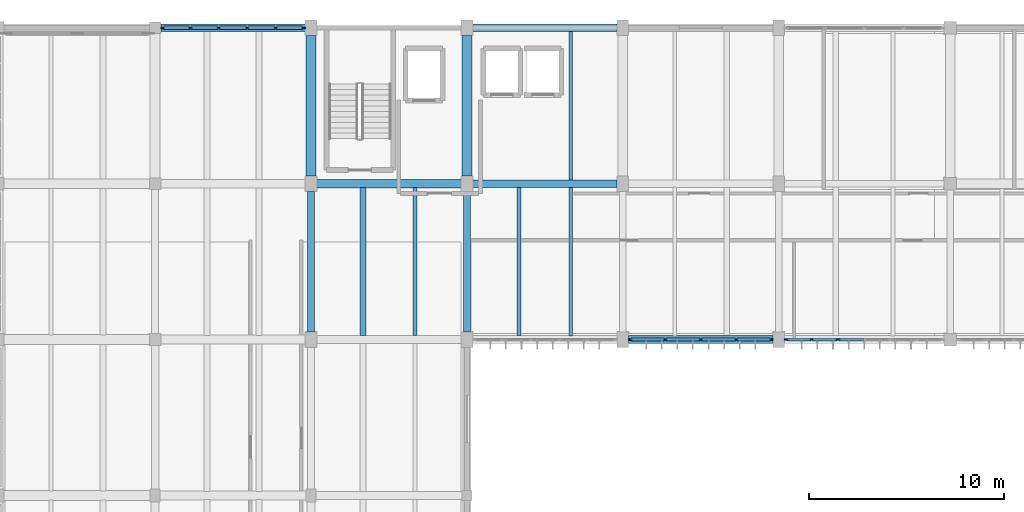
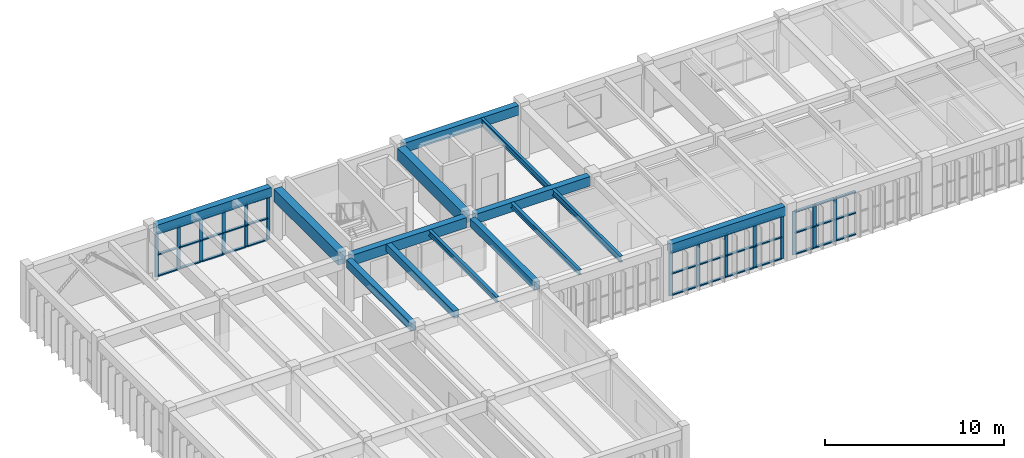
# One storey, part 5 of 31: 50 members, 14 beams, 3 elements without a shape of their own.
"""IFC4 building model written with IfcOpenShell, lengths in metres."""

from ifc_helpers import new_model, si_unit, direction, frame, origin, origin_2d, place, context, subcontext, project, spatial, rectangle, i_section, extrude, material, material_profile, profile_set, type_object, element, aggregate, save


model = new_model("IFC4")

# Units and contexts
model_context = context("Model", 3, precision=1e-05, world=origin(), true_north=direction((0.0, 1.0)))
body_context = subcontext(model_context, "Body", "Model", "MODEL_VIEW")
ifc_project = project(units=[si_unit("LENGTHUNIT", "METRE"), si_unit("AREAUNIT", "SQUARE_METRE"), si_unit("VOLUMEUNIT", "CUBIC_METRE"), si_unit("PLANEANGLEUNIT", "RADIAN"), si_unit("MASSUNIT", "GRAM", prefix="KILO")], contexts=[model_context])

# Site, building, storey
site_placement = place(None, origin())
site = spatial("IfcSite", under=ifc_project, at=site_placement, CompositionType="ELEMENT")
building_placement = place(site_placement, origin())
building = spatial("IfcBuilding", under=site, at=building_placement, Name="Tlaxcora Railside Police Headquarters", CompositionType="ELEMENT")
storey_placement = place(building_placement, frame((0.0, 0.0, 18.0)))
storey = spatial("IfcBuildingStorey", under=building, at=storey_placement, Name="L04", CompositionType="ELEMENT", Elevation=18.0)

# Curtain wall, members
ifc_material_1 = material(Name="Thermally broken low-E insulated glazing", Category="glass")
curtain_wall_type_1 = type_object("IfcCurtainWallType", Name="Unitised Curtain Wall Assembly CW-23", PredefinedType="NOTDEFINED", material=ifc_material_1)
curtain_wall_1_placement = place(storey_placement, origin())
curtain_wall_1 = element("IfcCurtainWall", 1, at=curtain_wall_1_placement, inside=storey, type_object=curtain_wall_type_1, Name="V5 L04 curtain wall 92", PredefinedType="NOTDEFINED")
ifc_material_2 = material(Name="Anodised aluminium framing", Category="aluminium")
ifc_material_profile_1 = material_profile(ifc_material_2, rectangle(XDim=0.080078125, YDim=0.219970703125, at=origin_2d()), Name="AL80X220")
ifc_profile_set_1 = profile_set([ifc_material_profile_1], Name="Anodised aluminium framing")
member_type_1 = type_object("IfcMemberType", Name="Curtain Wall Mullion CW-31", PredefinedType="MULLION", material=ifc_profile_set_1)
member_1_placement = place(storey_placement, frame((45.590087890625, 76.800048828125, 0.0), z_axis=(0.0, 0.0, 1.0), x_axis=(0.0, 1.0, 0.0)))
member_1 = element("IfcMember", 2, at=member_1_placement, type_object=member_type_1, Name="CW mullion 1", PredefinedType="MULLION", context=body_context, shape_type="SweptSolid", body=[
    extrude(rectangle(XDim=0.080078125, YDim=0.219970703125, at=origin_2d()), origin(), (0.0, 0.0, 1.0), 2.969970703125),
])
member_2_placement = place(storey_placement, frame((46.895751953125, 76.800048828125, 0.0), z_axis=(0.0, 0.0, 1.0), x_axis=(0.0, 1.0, 0.0)))
member_2 = element("IfcMember", 3, at=member_2_placement, type_object=member_type_1, Name="CW mullion 2", PredefinedType="MULLION", context=body_context, shape_type="SweptSolid", body=[
    extrude(rectangle(XDim=0.080078125, YDim=0.219970703125, at=origin_2d()), origin(), (0.0, 0.0, 1.0), 2.969970703125),
])
member_3_placement = place(storey_placement, frame((48.24169921875, 76.800048828125, 0.0), z_axis=(0.0, 0.0, 1.0), x_axis=(0.0, 1.0, 0.0)))
member_3 = element("IfcMember", 4, at=member_3_placement, type_object=member_type_1, Name="CW mullion 3", PredefinedType="MULLION", context=body_context, shape_type="SweptSolid", body=[
    extrude(rectangle(XDim=0.080078125, YDim=0.219970703125, at=origin_2d()), origin(), (0.0, 0.0, 1.0), 2.969970703125),
])

curtain_wall_2_placement = place(storey_placement, origin())
curtain_wall_2 = element("IfcCurtainWall", 5, at=curtain_wall_2_placement, inside=storey, type_object=curtain_wall_type_1, Name="V5 L04 curtain wall 100", PredefinedType="NOTDEFINED")
member_4_placement = place(storey_placement, frame((20.81005859375, 92.800048828125, 0.0), z_axis=(0.0, 0.0, 1.0), x_axis=(0.0, -1.0, 0.0)))
member_4 = element("IfcMember", 6, at=member_4_placement, type_object=member_type_1, Name="CW mullion 1", PredefinedType="MULLION", context=body_context, shape_type="SweptSolid", body=[
    extrude(rectangle(XDim=0.080078125, YDim=0.219970703125, at=origin_2d()), origin(), (0.0, 0.0, 1.0), 2.969970703125),
])
member_5_placement = place(storey_placement, frame((19.389892578125, 92.800048828125, 0.0), z_axis=(0.0, 0.0, 1.0), x_axis=(0.0, -1.0, 0.0)))
member_5 = element("IfcMember", 7, at=member_5_placement, type_object=member_type_1, Name="CW mullion 2", PredefinedType="MULLION", context=body_context, shape_type="SweptSolid", body=[
    extrude(rectangle(XDim=0.080078125, YDim=0.219970703125, at=origin_2d()), origin(), (0.0, 0.0, 1.0), 2.969970703125),
])
member_6_placement = place(storey_placement, frame((17.929931640625, 92.800048828125, 0.0), z_axis=(0.0, 0.0, 1.0), x_axis=(0.0, -1.0, 0.0)))
member_6 = element("IfcMember", 8, at=member_6_placement, type_object=member_type_1, Name="CW mullion 3", PredefinedType="MULLION", context=body_context, shape_type="SweptSolid", body=[
    extrude(rectangle(XDim=0.080078125, YDim=0.219970703125, at=origin_2d()), origin(), (0.0, 0.0, 1.0), 2.969970703125),
])
member_7_placement = place(storey_placement, frame((16.469970703125, 92.800048828125, 0.0), z_axis=(0.0, 0.0, 1.0), x_axis=(0.0, -1.0, 0.0)))
member_7 = element("IfcMember", 9, at=member_7_placement, type_object=member_type_1, Name="CW mullion 4", PredefinedType="MULLION", context=body_context, shape_type="SweptSolid", body=[
    extrude(rectangle(XDim=0.080078125, YDim=0.219970703125, at=origin_2d()), origin(), (0.0, 0.0, 1.0), 2.969970703125),
])
member_8_placement = place(storey_placement, frame((15.010009765625, 92.800048828125, 0.0), z_axis=(0.0, 0.0, 1.0), x_axis=(0.0, -1.0, 0.0)))
member_8 = element("IfcMember", 10, at=member_8_placement, type_object=member_type_1, Name="CW mullion 5", PredefinedType="MULLION", context=body_context, shape_type="SweptSolid", body=[
    extrude(rectangle(XDim=0.080078125, YDim=0.219970703125, at=origin_2d()), origin(), (0.0, 0.0, 1.0), 2.969970703125),
])
member_9_placement = place(storey_placement, frame((13.590087890625, 92.800048828125, 0.0), z_axis=(0.0, 0.0, 1.0), x_axis=(0.0, -1.0, 0.0)))
member_9 = element("IfcMember", 11, at=member_9_placement, type_object=member_type_1, Name="CW mullion 6", PredefinedType="MULLION", context=body_context, shape_type="SweptSolid", body=[
    extrude(rectangle(XDim=0.080078125, YDim=0.219970703125, at=origin_2d()), origin(), (0.0, 0.0, 1.0), 2.969970703125),
])

curtain_wall_type_2 = type_object("IfcCurtainWallType", Name="Unitised Curtain Wall Assembly CW-83", PredefinedType="NOTDEFINED", material=ifc_material_1)
curtain_wall_3_placement = place(storey_placement, origin())
curtain_wall_3 = element("IfcCurtainWall", 12, at=curtain_wall_3_placement, inside=storey, type_object=curtain_wall_type_2, Name="V5 L04 curtain wall 91", PredefinedType="NOTDEFINED")
ifc_material_profile_2 = material_profile(ifc_material_2, rectangle(XDim=0.080078125, YDim=0.2099609375, at=origin_2d()), Name="AL80X210")
ifc_profile_set_2 = profile_set([ifc_material_profile_2], Name="Anodised aluminium framing")
member_type_2 = type_object("IfcMemberType", Name="Curtain Wall Mullion CW-76", PredefinedType="MULLION", material=ifc_profile_set_2)
member_10_placement = place(storey_placement, frame((37.590087890625, 76.800048828125, 0.0), z_axis=(0.0, 0.0, 1.0), x_axis=(0.0, 1.0, 0.0)))
member_10 = element("IfcMember", 13, at=member_10_placement, type_object=member_type_2, Name="CW mullion 1", PredefinedType="MULLION", context=body_context, shape_type="SweptSolid", body=[
    extrude(rectangle(XDim=0.080078125, YDim=0.2099609375, at=origin_2d()), origin(), (0.0, 0.0, 1.0), 2.969970703125),
])
member_11_placement = place(storey_placement, frame((39.375, 76.800048828125, 0.0), z_axis=(0.0, 0.0, 1.0), x_axis=(0.0, 1.0, 0.0)))
member_11 = element("IfcMember", 14, at=member_11_placement, type_object=member_type_2, Name="CW mullion 2", PredefinedType="MULLION", context=body_context, shape_type="SweptSolid", body=[
    extrude(rectangle(XDim=0.080078125, YDim=0.2099609375, at=origin_2d()), origin(), (0.0, 0.0, 1.0), 2.969970703125),
])
member_12_placement = place(storey_placement, frame((41.199951171875, 76.800048828125, 0.0), z_axis=(0.0, 0.0, 1.0), x_axis=(0.0, 1.0, 0.0)))
member_12 = element("IfcMember", 15, at=member_12_placement, type_object=member_type_2, Name="CW mullion 3", PredefinedType="MULLION", context=body_context, shape_type="SweptSolid", body=[
    extrude(rectangle(XDim=0.080078125, YDim=0.2099609375, at=origin_2d()), origin(), (0.0, 0.0, 1.0), 2.969970703125),
])
member_13_placement = place(storey_placement, frame((43.02490234375, 76.800048828125, 0.0), z_axis=(0.0, 0.0, 1.0), x_axis=(0.0, 1.0, 0.0)))
member_13 = element("IfcMember", 16, at=member_13_placement, type_object=member_type_2, Name="CW mullion 4", PredefinedType="MULLION", context=body_context, shape_type="SweptSolid", body=[
    extrude(rectangle(XDim=0.080078125, YDim=0.2099609375, at=origin_2d()), origin(), (0.0, 0.0, 1.0), 2.969970703125),
])
member_14_placement = place(storey_placement, frame((44.81005859375, 76.800048828125, 0.0), z_axis=(0.0, 0.0, 1.0), x_axis=(0.0, 1.0, 0.0)))
member_14 = element("IfcMember", 17, at=member_14_placement, type_object=member_type_2, Name="CW mullion 5", PredefinedType="MULLION", context=body_context, shape_type="SweptSolid", body=[
    extrude(rectangle(XDim=0.080078125, YDim=0.2099609375, at=origin_2d()), origin(), (0.0, 0.0, 1.0), 2.969970703125),
])

# Member
ifc_material_profile_3 = material_profile(ifc_material_2, rectangle(XDim=0.1650390625, YDim=0.080078125, at=origin_2d()), Name="AL80X165")
ifc_profile_set_3 = profile_set([ifc_material_profile_3], Name="Anodised aluminium framing")
member_type_3 = type_object("IfcMemberType", Name="Curtain Wall Transom CW-62", PredefinedType="USERDEFINED", material=ifc_profile_set_3)
member_15_placement = place(storey_placement, frame((45.6298828125, 76.800048828125, 0.0400390625), z_axis=(1.0, 0.0, 0.0), x_axis=(0.0, 1.0, 0.0)))
member_15 = element("IfcMember", 18, at=member_15_placement, type_object=member_type_3, Name="CW transom 1.1", ObjectType="TRANSOM", PredefinedType="USERDEFINED", context=body_context, shape_type="SweptSolid", body=[
    extrude(rectangle(XDim=0.1650390625, YDim=0.080078125, at=origin_2d()), origin(), (0.0, 0.0, 1.0), 1.225830078125),
])

member_16_placement = place(storey_placement, frame((45.6298828125, 76.800048828125, 1.4951171875), z_axis=(1.0, 0.0, 0.0), x_axis=(0.0, 1.0, 0.0)))
member_16 = element("IfcMember", 19, at=member_16_placement, type_object=member_type_3, Name="CW transom 1.2", ObjectType="TRANSOM", PredefinedType="USERDEFINED", context=body_context, shape_type="SweptSolid", body=[
    extrude(rectangle(XDim=0.1650390625, YDim=0.080078125, at=origin_2d()), origin(), (0.0, 0.0, 1.0), 1.225830078125),
])

member_17_placement = place(storey_placement, frame((45.6298828125, 76.800048828125, 2.929931640625), z_axis=(1.0, 0.0, 0.0), x_axis=(0.0, 1.0, 0.0)))
member_17 = element("IfcMember", 20, at=member_17_placement, type_object=member_type_3, Name="CW transom 1.3", ObjectType="TRANSOM", PredefinedType="USERDEFINED", context=body_context, shape_type="SweptSolid", body=[
    extrude(rectangle(XDim=0.1650390625, YDim=0.080078125, at=origin_2d()), origin(), (0.0, 0.0, 1.0), 1.225830078125),
])

member_18_placement = place(storey_placement, frame((46.935791015625, 76.800048828125, 0.0400390625), z_axis=(1.0, 0.0, 0.0), x_axis=(0.0, 1.0, 0.0)))
member_18 = element("IfcMember", 21, at=member_18_placement, type_object=member_type_3, Name="CW transom 2.1", ObjectType="TRANSOM", PredefinedType="USERDEFINED", context=body_context, shape_type="SweptSolid", body=[
    extrude(rectangle(XDim=0.1650390625, YDim=0.080078125, at=origin_2d()), origin(), (0.0, 0.0, 1.0), 1.265869140625),
])

member_19_placement = place(storey_placement, frame((46.935791015625, 76.800048828125, 1.4951171875), z_axis=(1.0, 0.0, 0.0), x_axis=(0.0, 1.0, 0.0)))
member_19 = element("IfcMember", 22, at=member_19_placement, type_object=member_type_3, Name="CW transom 2.2", ObjectType="TRANSOM", PredefinedType="USERDEFINED", context=body_context, shape_type="SweptSolid", body=[
    extrude(rectangle(XDim=0.1650390625, YDim=0.080078125, at=origin_2d()), origin(), (0.0, 0.0, 1.0), 1.265869140625),
])

member_20_placement = place(storey_placement, frame((46.935791015625, 76.800048828125, 2.929931640625), z_axis=(1.0, 0.0, 0.0), x_axis=(0.0, 1.0, 0.0)))
member_20 = element("IfcMember", 23, at=member_20_placement, type_object=member_type_3, Name="CW transom 2.3", ObjectType="TRANSOM", PredefinedType="USERDEFINED", context=body_context, shape_type="SweptSolid", body=[
    extrude(rectangle(XDim=0.1650390625, YDim=0.080078125, at=origin_2d()), origin(), (0.0, 0.0, 1.0), 1.265869140625),
])

member_21_placement = place(storey_placement, frame((48.28173828125, 76.800048828125, 0.0400390625), z_axis=(1.0, 0.0, 0.0), x_axis=(0.0, 1.0, 0.0)))
member_21 = element("IfcMember", 24, at=member_21_placement, type_object=member_type_3, Name="CW transom 3.1", ObjectType="TRANSOM", PredefinedType="USERDEFINED", context=body_context, shape_type="SweptSolid", body=[
    extrude(rectangle(XDim=0.1650390625, YDim=0.080078125, at=origin_2d()), origin(), (0.0, 0.0, 1.0), 1.265869140625),
])

member_22_placement = place(storey_placement, frame((48.28173828125, 76.800048828125, 1.4951171875), z_axis=(1.0, 0.0, 0.0), x_axis=(0.0, 1.0, 0.0)))
member_22 = element("IfcMember", 25, at=member_22_placement, type_object=member_type_3, Name="CW transom 3.2", ObjectType="TRANSOM", PredefinedType="USERDEFINED", context=body_context, shape_type="SweptSolid", body=[
    extrude(rectangle(XDim=0.1650390625, YDim=0.080078125, at=origin_2d()), origin(), (0.0, 0.0, 1.0), 1.265869140625),
])

member_23_placement = place(storey_placement, frame((48.28173828125, 76.800048828125, 2.929931640625), z_axis=(1.0, 0.0, 0.0), x_axis=(0.0, 1.0, 0.0)))
member_23 = element("IfcMember", 26, at=member_23_placement, type_object=member_type_3, Name="CW transom 3.3", ObjectType="TRANSOM", PredefinedType="USERDEFINED", context=body_context, shape_type="SweptSolid", body=[
    extrude(rectangle(XDim=0.1650390625, YDim=0.080078125, at=origin_2d()), origin(), (0.0, 0.0, 1.0), 1.265869140625),
])

aggregate(curtain_wall_1, [member_1, member_2, member_3, member_15, member_16, member_17, member_18, member_19, member_20, member_21, member_22, member_23])

member_24_placement = place(storey_placement, frame((20.77001953125, 92.800048828125, 0.0400390625), z_axis=(-1.0, 0.0, 0.0), x_axis=(0.0, -1.0, 0.0)))
member_24 = element("IfcMember", 27, at=member_24_placement, type_object=member_type_3, Name="CW transom 1.1", ObjectType="TRANSOM", PredefinedType="USERDEFINED", context=body_context, shape_type="SweptSolid", body=[
    extrude(rectangle(XDim=0.1650390625, YDim=0.080078125, at=origin_2d()), origin(), (0.0, 0.0, 1.0), 1.340087890625),
])

member_25_placement = place(storey_placement, frame((20.77001953125, 92.800048828125, 1.4951171875), z_axis=(-1.0, 0.0, 0.0), x_axis=(0.0, -1.0, 0.0)))
member_25 = element("IfcMember", 28, at=member_25_placement, type_object=member_type_3, Name="CW transom 1.2", ObjectType="TRANSOM", PredefinedType="USERDEFINED", context=body_context, shape_type="SweptSolid", body=[
    extrude(rectangle(XDim=0.1650390625, YDim=0.080078125, at=origin_2d()), origin(), (0.0, 0.0, 1.0), 1.340087890625),
])

member_26_placement = place(storey_placement, frame((20.77001953125, 92.800048828125, 2.929931640625), z_axis=(-1.0, 0.0, 0.0), x_axis=(0.0, -1.0, 0.0)))
member_26 = element("IfcMember", 29, at=member_26_placement, type_object=member_type_3, Name="CW transom 1.3", ObjectType="TRANSOM", PredefinedType="USERDEFINED", context=body_context, shape_type="SweptSolid", body=[
    extrude(rectangle(XDim=0.1650390625, YDim=0.080078125, at=origin_2d()), origin(), (0.0, 0.0, 1.0), 1.340087890625),
])

member_27_placement = place(storey_placement, frame((19.35009765625, 92.800048828125, 0.0400390625), z_axis=(-1.0, 0.0, 0.0), x_axis=(0.0, -1.0, 0.0)))
member_27 = element("IfcMember", 30, at=member_27_placement, type_object=member_type_3, Name="CW transom 2.1", ObjectType="TRANSOM", PredefinedType="USERDEFINED", context=body_context, shape_type="SweptSolid", body=[
    extrude(rectangle(XDim=0.1650390625, YDim=0.080078125, at=origin_2d()), origin(), (0.0, 0.0, 1.0), 1.380126953125),
])

member_28_placement = place(storey_placement, frame((19.35009765625, 92.800048828125, 1.4951171875), z_axis=(-1.0, 0.0, 0.0), x_axis=(0.0, -1.0, 0.0)))
member_28 = element("IfcMember", 31, at=member_28_placement, type_object=member_type_3, Name="CW transom 2.2", ObjectType="TRANSOM", PredefinedType="USERDEFINED", context=body_context, shape_type="SweptSolid", body=[
    extrude(rectangle(XDim=0.1650390625, YDim=0.080078125, at=origin_2d()), origin(), (0.0, 0.0, 1.0), 1.380126953125),
])

member_29_placement = place(storey_placement, frame((19.35009765625, 92.800048828125, 2.929931640625), z_axis=(-1.0, 0.0, 0.0), x_axis=(0.0, -1.0, 0.0)))
member_29 = element("IfcMember", 32, at=member_29_placement, type_object=member_type_3, Name="CW transom 2.3", ObjectType="TRANSOM", PredefinedType="USERDEFINED", context=body_context, shape_type="SweptSolid", body=[
    extrude(rectangle(XDim=0.1650390625, YDim=0.080078125, at=origin_2d()), origin(), (0.0, 0.0, 1.0), 1.380126953125),
])

member_30_placement = place(storey_placement, frame((17.889892578125, 92.800048828125, 0.0400390625), z_axis=(-1.0, 0.0, 0.0), x_axis=(0.0, -1.0, 0.0)))
member_30 = element("IfcMember", 33, at=member_30_placement, type_object=member_type_3, Name="CW transom 3.1", ObjectType="TRANSOM", PredefinedType="USERDEFINED", context=body_context, shape_type="SweptSolid", body=[
    extrude(rectangle(XDim=0.1650390625, YDim=0.080078125, at=origin_2d()), origin(), (0.0, 0.0, 1.0), 1.3798828125),
])

member_31_placement = place(storey_placement, frame((17.889892578125, 92.800048828125, 1.4951171875), z_axis=(-1.0, 0.0, 0.0), x_axis=(0.0, -1.0, 0.0)))
member_31 = element("IfcMember", 34, at=member_31_placement, type_object=member_type_3, Name="CW transom 3.2", ObjectType="TRANSOM", PredefinedType="USERDEFINED", context=body_context, shape_type="SweptSolid", body=[
    extrude(rectangle(XDim=0.1650390625, YDim=0.080078125, at=origin_2d()), origin(), (0.0, 0.0, 1.0), 1.3798828125),
])

member_32_placement = place(storey_placement, frame((17.889892578125, 92.800048828125, 2.929931640625), z_axis=(-1.0, 0.0, 0.0), x_axis=(0.0, -1.0, 0.0)))
member_32 = element("IfcMember", 35, at=member_32_placement, type_object=member_type_3, Name="CW transom 3.3", ObjectType="TRANSOM", PredefinedType="USERDEFINED", context=body_context, shape_type="SweptSolid", body=[
    extrude(rectangle(XDim=0.1650390625, YDim=0.080078125, at=origin_2d()), origin(), (0.0, 0.0, 1.0), 1.3798828125),
])

member_33_placement = place(storey_placement, frame((16.429931640625, 92.800048828125, 0.0400390625), z_axis=(-1.0, 0.0, 0.0), x_axis=(0.0, -1.0, 0.0)))
member_33 = element("IfcMember", 36, at=member_33_placement, type_object=member_type_3, Name="CW transom 4.1", ObjectType="TRANSOM", PredefinedType="USERDEFINED", context=body_context, shape_type="SweptSolid", body=[
    extrude(rectangle(XDim=0.1650390625, YDim=0.080078125, at=origin_2d()), origin(), (0.0, 0.0, 1.0), 1.3798828125),
])

member_34_placement = place(storey_placement, frame((16.429931640625, 92.800048828125, 1.4951171875), z_axis=(-1.0, 0.0, 0.0), x_axis=(0.0, -1.0, 0.0)))
member_34 = element("IfcMember", 37, at=member_34_placement, type_object=member_type_3, Name="CW transom 4.2", ObjectType="TRANSOM", PredefinedType="USERDEFINED", context=body_context, shape_type="SweptSolid", body=[
    extrude(rectangle(XDim=0.1650390625, YDim=0.080078125, at=origin_2d()), origin(), (0.0, 0.0, 1.0), 1.3798828125),
])

member_35_placement = place(storey_placement, frame((16.429931640625, 92.800048828125, 2.929931640625), z_axis=(-1.0, 0.0, 0.0), x_axis=(0.0, -1.0, 0.0)))
member_35 = element("IfcMember", 38, at=member_35_placement, type_object=member_type_3, Name="CW transom 4.3", ObjectType="TRANSOM", PredefinedType="USERDEFINED", context=body_context, shape_type="SweptSolid", body=[
    extrude(rectangle(XDim=0.1650390625, YDim=0.080078125, at=origin_2d()), origin(), (0.0, 0.0, 1.0), 1.3798828125),
])

member_36_placement = place(storey_placement, frame((14.969970703125, 92.800048828125, 0.0400390625), z_axis=(-1.0, 0.0, 0.0), x_axis=(0.0, -1.0, 0.0)))
member_36 = element("IfcMember", 39, at=member_36_placement, type_object=member_type_3, Name="CW transom 5.1", ObjectType="TRANSOM", PredefinedType="USERDEFINED", context=body_context, shape_type="SweptSolid", body=[
    extrude(rectangle(XDim=0.1650390625, YDim=0.080078125, at=origin_2d()), origin(), (0.0, 0.0, 1.0), 1.340087890625),
])

member_37_placement = place(storey_placement, frame((14.969970703125, 92.800048828125, 1.4951171875), z_axis=(-1.0, 0.0, 0.0), x_axis=(0.0, -1.0, 0.0)))
member_37 = element("IfcMember", 40, at=member_37_placement, type_object=member_type_3, Name="CW transom 5.2", ObjectType="TRANSOM", PredefinedType="USERDEFINED", context=body_context, shape_type="SweptSolid", body=[
    extrude(rectangle(XDim=0.1650390625, YDim=0.080078125, at=origin_2d()), origin(), (0.0, 0.0, 1.0), 1.340087890625),
])

member_38_placement = place(storey_placement, frame((14.969970703125, 92.800048828125, 2.929931640625), z_axis=(-1.0, 0.0, 0.0), x_axis=(0.0, -1.0, 0.0)))
member_38 = element("IfcMember", 41, at=member_38_placement, type_object=member_type_3, Name="CW transom 5.3", ObjectType="TRANSOM", PredefinedType="USERDEFINED", context=body_context, shape_type="SweptSolid", body=[
    extrude(rectangle(XDim=0.1650390625, YDim=0.080078125, at=origin_2d()), origin(), (0.0, 0.0, 1.0), 1.340087890625),
])

aggregate(curtain_wall_2, [member_4, member_5, member_6, member_7, member_8, member_9, member_24, member_25, member_26, member_27, member_28, member_29, member_30, member_31, member_32, member_33, member_34, member_35, member_36, member_37, member_38])

ifc_material_profile_4 = material_profile(ifc_material_2, rectangle(XDim=0.159912109375, YDim=0.080078125, at=origin_2d()), Name="AL80X160")
ifc_profile_set_4 = profile_set([ifc_material_profile_4], Name="Anodised aluminium framing")
member_type_4 = type_object("IfcMemberType", Name="Curtain Wall Transom CW-82", PredefinedType="USERDEFINED", material=ifc_profile_set_4)
member_39_placement = place(storey_placement, frame((37.6298828125, 76.800048828125, 0.0400390625), z_axis=(1.0, 0.0, 0.0), x_axis=(0.0, 1.0, 0.0)))
member_39 = element("IfcMember", 42, at=member_39_placement, type_object=member_type_4, Name="CW transom 1.1", ObjectType="TRANSOM", PredefinedType="USERDEFINED", context=body_context, shape_type="SweptSolid", body=[
    extrude(rectangle(XDim=0.159912109375, YDim=0.080078125, at=origin_2d()), origin(), (0.0, 0.0, 1.0), 1.705078125),
])

member_40_placement = place(storey_placement, frame((37.6298828125, 76.800048828125, 1.4951171875), z_axis=(1.0, 0.0, 0.0), x_axis=(0.0, 1.0, 0.0)))
member_40 = element("IfcMember", 43, at=member_40_placement, type_object=member_type_4, Name="CW transom 1.2", ObjectType="TRANSOM", PredefinedType="USERDEFINED", context=body_context, shape_type="SweptSolid", body=[
    extrude(rectangle(XDim=0.159912109375, YDim=0.080078125, at=origin_2d()), origin(), (0.0, 0.0, 1.0), 1.705078125),
])

member_41_placement = place(storey_placement, frame((37.6298828125, 76.800048828125, 2.929931640625), z_axis=(1.0, 0.0, 0.0), x_axis=(0.0, 1.0, 0.0)))
member_41 = element("IfcMember", 44, at=member_41_placement, type_object=member_type_4, Name="CW transom 1.3", ObjectType="TRANSOM", PredefinedType="USERDEFINED", context=body_context, shape_type="SweptSolid", body=[
    extrude(rectangle(XDim=0.159912109375, YDim=0.080078125, at=origin_2d()), origin(), (0.0, 0.0, 1.0), 1.705078125),
])

member_42_placement = place(storey_placement, frame((39.4150390625, 76.800048828125, 0.0400390625), z_axis=(1.0, 0.0, 0.0), x_axis=(0.0, 1.0, 0.0)))
member_42 = element("IfcMember", 45, at=member_42_placement, type_object=member_type_4, Name="CW transom 2.1", ObjectType="TRANSOM", PredefinedType="USERDEFINED", context=body_context, shape_type="SweptSolid", body=[
    extrude(rectangle(XDim=0.159912109375, YDim=0.080078125, at=origin_2d()), origin(), (0.0, 0.0, 1.0), 1.744873046875),
])

member_43_placement = place(storey_placement, frame((39.4150390625, 76.800048828125, 1.4951171875), z_axis=(1.0, 0.0, 0.0), x_axis=(0.0, 1.0, 0.0)))
member_43 = element("IfcMember", 46, at=member_43_placement, type_object=member_type_4, Name="CW transom 2.2", ObjectType="TRANSOM", PredefinedType="USERDEFINED", context=body_context, shape_type="SweptSolid", body=[
    extrude(rectangle(XDim=0.159912109375, YDim=0.080078125, at=origin_2d()), origin(), (0.0, 0.0, 1.0), 1.744873046875),
])

member_44_placement = place(storey_placement, frame((39.4150390625, 76.800048828125, 2.929931640625), z_axis=(1.0, 0.0, 0.0), x_axis=(0.0, 1.0, 0.0)))
member_44 = element("IfcMember", 47, at=member_44_placement, type_object=member_type_4, Name="CW transom 2.3", ObjectType="TRANSOM", PredefinedType="USERDEFINED", context=body_context, shape_type="SweptSolid", body=[
    extrude(rectangle(XDim=0.159912109375, YDim=0.080078125, at=origin_2d()), origin(), (0.0, 0.0, 1.0), 1.744873046875),
])

member_45_placement = place(storey_placement, frame((41.239990234375, 76.800048828125, 0.0400390625), z_axis=(1.0, 0.0, 0.0), x_axis=(0.0, 1.0, 0.0)))
member_45 = element("IfcMember", 48, at=member_45_placement, type_object=member_type_4, Name="CW transom 3.1", ObjectType="TRANSOM", PredefinedType="USERDEFINED", context=body_context, shape_type="SweptSolid", body=[
    extrude(rectangle(XDim=0.159912109375, YDim=0.080078125, at=origin_2d()), origin(), (0.0, 0.0, 1.0), 1.7451171875),
])

member_46_placement = place(storey_placement, frame((41.239990234375, 76.800048828125, 1.4951171875), z_axis=(1.0, 0.0, 0.0), x_axis=(0.0, 1.0, 0.0)))
member_46 = element("IfcMember", 49, at=member_46_placement, type_object=member_type_4, Name="CW transom 3.2", ObjectType="TRANSOM", PredefinedType="USERDEFINED", context=body_context, shape_type="SweptSolid", body=[
    extrude(rectangle(XDim=0.159912109375, YDim=0.080078125, at=origin_2d()), origin(), (0.0, 0.0, 1.0), 1.7451171875),
])

member_47_placement = place(storey_placement, frame((41.239990234375, 76.800048828125, 2.929931640625), z_axis=(1.0, 0.0, 0.0), x_axis=(0.0, 1.0, 0.0)))
member_47 = element("IfcMember", 50, at=member_47_placement, type_object=member_type_4, Name="CW transom 3.3", ObjectType="TRANSOM", PredefinedType="USERDEFINED", context=body_context, shape_type="SweptSolid", body=[
    extrude(rectangle(XDim=0.159912109375, YDim=0.080078125, at=origin_2d()), origin(), (0.0, 0.0, 1.0), 1.7451171875),
])

member_48_placement = place(storey_placement, frame((43.06494140625, 76.800048828125, 0.0400390625), z_axis=(1.0, 0.0, 0.0), x_axis=(0.0, 1.0, 0.0)))
member_48 = element("IfcMember", 51, at=member_48_placement, type_object=member_type_4, Name="CW transom 4.1", ObjectType="TRANSOM", PredefinedType="USERDEFINED", context=body_context, shape_type="SweptSolid", body=[
    extrude(rectangle(XDim=0.159912109375, YDim=0.080078125, at=origin_2d()), origin(), (0.0, 0.0, 1.0), 1.705078125),
])

member_49_placement = place(storey_placement, frame((43.06494140625, 76.800048828125, 1.4951171875), z_axis=(1.0, 0.0, 0.0), x_axis=(0.0, 1.0, 0.0)))
member_49 = element("IfcMember", 52, at=member_49_placement, type_object=member_type_4, Name="CW transom 4.2", ObjectType="TRANSOM", PredefinedType="USERDEFINED", context=body_context, shape_type="SweptSolid", body=[
    extrude(rectangle(XDim=0.159912109375, YDim=0.080078125, at=origin_2d()), origin(), (0.0, 0.0, 1.0), 1.705078125),
])

member_50_placement = place(storey_placement, frame((43.06494140625, 76.800048828125, 2.929931640625), z_axis=(1.0, 0.0, 0.0), x_axis=(0.0, 1.0, 0.0)))
member_50 = element("IfcMember", 53, at=member_50_placement, type_object=member_type_4, Name="CW transom 4.3", ObjectType="TRANSOM", PredefinedType="USERDEFINED", context=body_context, shape_type="SweptSolid", body=[
    extrude(rectangle(XDim=0.159912109375, YDim=0.080078125, at=origin_2d()), origin(), (0.0, 0.0, 1.0), 1.705078125),
])

aggregate(curtain_wall_3, [member_10, member_11, member_12, member_13, member_14, member_39, member_40, member_41, member_42, member_43, member_44, member_45, member_46, member_47, member_48, member_49, member_50])

# Beams
ifc_material_3 = material(Name="Concrete C40/50", Category="concrete")
ifc_material_profile_5 = material_profile(ifc_material_3, rectangle(XDim=0.39990234375, YDim=0.64990234375, at=origin_2d()), Name="RC400X650")
ifc_profile_set_5 = profile_set([ifc_material_profile_5], Name="Concrete C40/50")
beam_type_1 = type_object("IfcBeamType", Name="Perimeter Spandrel Beam BM-46", PredefinedType="SPANDREL", material=ifc_profile_set_5)
for number, where, z_axis, x_axis, name in (
    (54, (37.489990234375, 76.800048828125, 3.31494140625), (1.0, 0.0, 0.0), (0.0, 1.0, 0.0), "V5 L04 X-girder Y=76.8"),
    (55, (13.489990234375, 92.800048828125, 3.31494140625), (1.0, 0.0, 0.0), (0.0, 1.0, 0.0), "V5 L04 X-girder Y=92.8"),
    (56, (29.489990234375, 92.800048828125, 3.31494140625), (1.0, 0.0, 0.0), (0.0, 1.0, 0.0), "V5 L04 X-girder Y=92.8"),
):
    element("IfcBeam", number, at=place(storey_placement, frame(where, z_axis=z_axis, x_axis=x_axis)), inside=storey, type_object=beam_type_1, Name=name, PredefinedType="SPANDREL", context=body_context, shape_type="SweptSolid", body=[
        extrude(rectangle(XDim=0.39990234375, YDim=0.64990234375, at=origin_2d()), origin(), (0.0, 0.0, 1.0), 7.419921875),
    ])
ifc_material_profile_6 = material_profile(ifc_material_3, rectangle(XDim=0.419921875, YDim=0.699951171875, at=origin_2d()), Name="RC420X700")
ifc_profile_set_6 = profile_set([ifc_material_profile_6], Name="Concrete C40/50")
beam_type_2 = type_object("IfcBeamType", Name="Primary Frame Girder BM-35", PredefinedType="BEAM", material=ifc_profile_set_6)
beam_1_placement = place(storey_placement, frame((21.489990234375, 84.800048828125, 3.2900390625), z_axis=(1.0, 0.0, 0.0), x_axis=(0.0, 1.0, 0.0)))
element("IfcBeam", 57, at=beam_1_placement, inside=storey, type_object=beam_type_2, Name="V5 L04 X-girder Y=84.8", PredefinedType="BEAM", context=body_context, shape_type="SweptSolid", body=[
    extrude(rectangle(XDim=0.419921875, YDim=0.699951171875, at=origin_2d()), origin(), (0.0, 0.0, 1.0), 7.419921875),
])
ifc_material_profile_7 = material_profile(ifc_material_3, rectangle(XDim=0.35009765625, YDim=0.550048828125, at=origin_2d()), Name="RC350X550")
ifc_profile_set_7 = profile_set([ifc_material_profile_7], Name="Concrete C40/50")
beam_type_3 = type_object("IfcBeamType", Name="Primary Frame Girder BM-39", PredefinedType="BEAM", material=ifc_profile_set_7)
for number, where, z_axis, x_axis, name in (
    (58, (21.199951171875, 77.18994140625, 3.364990234375), (0.0, 1.0, 0.0), (-1.0, 0.0, 0.0), "V5 L04 Y-girder X=21.2"),
    (59, (29.199951171875, 77.18994140625, 3.364990234375), (0.0, 1.0, 0.0), (-1.0, 0.0, 0.0), "V5 L04 Y-girder X=29.2"),
):
    element("IfcBeam", number, at=place(storey_placement, frame(where, z_axis=z_axis, x_axis=x_axis)), inside=storey, type_object=beam_type_3, Name=name, PredefinedType="BEAM", context=body_context, shape_type="SweptSolid", body=[
        extrude(rectangle(XDim=0.35009765625, YDim=0.550048828125, at=origin_2d()), origin(), (0.0, 0.0, 1.0), 7.219970703125),
    ])
ifc_material_profile_8 = material_profile(ifc_material_3, rectangle(XDim=0.39990234375, YDim=0.64990234375, at=origin_2d()), Name="RC400X650")
ifc_profile_set_8 = profile_set([ifc_material_profile_8], Name="Concrete C40/50")
beam_type_4 = type_object("IfcBeamType", Name="Primary Frame Girder BM-41", PredefinedType="BEAM", material=ifc_profile_set_8)
beam_2_placement = place(storey_placement, frame((29.489990234375, 84.800048828125, 3.31494140625), z_axis=(1.0, 0.0, 0.0), x_axis=(0.0, 1.0, 0.0)))
element("IfcBeam", 60, at=beam_2_placement, inside=storey, type_object=beam_type_4, Name="V5 L04 X-girder Y=84.8", PredefinedType="BEAM", context=body_context, shape_type="SweptSolid", body=[
    extrude(rectangle(XDim=0.39990234375, YDim=0.64990234375, at=origin_2d()), origin(), (0.0, 0.0, 1.0), 7.419921875),
])
ifc_material_profile_9 = material_profile(ifc_material_3, rectangle(XDim=0.5, YDim=0.85009765625, at=origin_2d()), Name="RC500X850")
ifc_profile_set_9 = profile_set([ifc_material_profile_9], Name="Concrete C40/50")
beam_type_5 = type_object("IfcBeamType", Name="Primary Frame Girder BM-64", PredefinedType="BEAM", material=ifc_profile_set_9)
for number, where, z_axis, x_axis, name in (
    (61, (21.199951171875, 85.18994140625, 3.215087890625), (0.0, 1.0, 0.0), (-1.0, 0.0, 0.0), "V5 L04 Y-girder X=21.2"),
    (62, (29.199951171875, 85.18994140625, 3.215087890625), (0.0, 1.0, 0.0), (-1.0, 0.0, 0.0), "V5 L04 Y-girder X=29.2"),
):
    element("IfcBeam", number, at=place(storey_placement, frame(where, z_axis=z_axis, x_axis=x_axis)), inside=storey, type_object=beam_type_5, Name=name, PredefinedType="BEAM", context=body_context, shape_type="SweptSolid", body=[
        extrude(rectangle(XDim=0.5, YDim=0.85009765625, at=origin_2d()), origin(), (0.0, 0.0, 1.0), 7.219970703125),
    ])
ifc_material_4 = material(Name="Steel ASTM A992 Grade 50", Category="steel")
ifc_material_profile_10 = material_profile(ifc_material_4, i_section(OverallWidth=0.2041015625, OverallDepth=0.35009765625, WebThickness=0.008544921875, FlangeThickness=0.01513671875, at=origin_2d()), Name="W14X48")
ifc_profile_set_10 = profile_set([ifc_material_profile_10], Name="Steel ASTM A992 Grade 50")
beam_type_6 = type_object("IfcBeamType", Name="Secondary Floor Joist BM-65", PredefinedType="JOIST", material=ifc_profile_set_10)
beam_3_placement = place(storey_placement, frame((26.533203125, 77.001953125, 3.465087890625), z_axis=(0.0, 1.0, 0.0), x_axis=(-1.0, 0.0, 0.0)))
element("IfcBeam", 63, at=beam_3_placement, inside=storey, type_object=beam_type_6, Name="V5 L04 floor joist X=26.53", PredefinedType="JOIST", context=body_context, shape_type="SweptSolid", body=[
    extrude(i_section(OverallWidth=0.2041015625, OverallDepth=0.35009765625, WebThickness=0.008544921875, FlangeThickness=0.01513671875, at=origin_2d()), origin(), (0.0, 0.0, 1.0), 7.595947265625),
])
beam_4_placement = place(storey_placement, frame((31.86669921875, 76.991943359375, 3.465087890625), z_axis=(0.0, 1.0, 0.0), x_axis=(-1.0, 0.0, 0.0)))
element("IfcBeam", 64, at=beam_4_placement, inside=storey, type_object=beam_type_6, Name="V5 L04 floor joist X=31.87", PredefinedType="JOIST", context=body_context, shape_type="SweptSolid", body=[
    extrude(i_section(OverallWidth=0.2041015625, OverallDepth=0.35009765625, WebThickness=0.008544921875, FlangeThickness=0.01513671875, at=origin_2d()), origin(), (0.0, 0.0, 1.0), 7.615966796875),
])
ifc_material_profile_11 = material_profile(ifc_material_4, i_section(OverallWidth=0.180908203125, OverallDepth=0.4169921875, WebThickness=0.010009765625, FlangeThickness=0.018310546875, at=origin_2d()), Name="W16X57")
ifc_profile_set_11 = profile_set([ifc_material_profile_11], Name="Steel ASTM A992 Grade 50")
beam_type_7 = type_object("IfcBeamType", Name="Secondary Floor Joist BM-84", PredefinedType="JOIST", material=ifc_profile_set_11)
for number, where, z_axis, x_axis, name in (
    (65, (34.533203125, 76.991943359375, 3.431396484375), (0.0, 1.0, 0.0), (-1.0, 0.0, 0.0), "V5 L04 floor joist X=34.53"),
    (66, (34.533203125, 84.991943359375, 3.431396484375), (0.0, 1.0, 0.0), (-1.0, 0.0, 0.0), "V5 L04 floor joist X=34.53"),
):
    element("IfcBeam", number, at=place(storey_placement, frame(where, z_axis=z_axis, x_axis=x_axis)), inside=storey, type_object=beam_type_7, Name=name, PredefinedType="JOIST", context=body_context, shape_type="SweptSolid", body=[
        extrude(i_section(OverallWidth=0.180908203125, OverallDepth=0.4169921875, WebThickness=0.010009765625, FlangeThickness=0.018310546875, at=origin_2d()), origin(), (0.0, 0.0, 1.0), 7.615966796875),
    ])
ifc_material_5 = material(Name="Concrete C35/45", Category="concrete")
ifc_material_profile_12 = material_profile(ifc_material_5, rectangle(XDim=0.320068359375, YDim=0.5, at=origin_2d()), Name="RC320X500")
ifc_profile_set_12 = profile_set([ifc_material_profile_12], Name="Concrete C35/45")
beam_type_8 = type_object("IfcBeamType", Name="Secondary Floor Joist BM-88", PredefinedType="JOIST", material=ifc_profile_set_12)
beam_5_placement = place(storey_placement, frame((23.86669921875, 77.001953125, 3.389892578125), z_axis=(0.0, 1.0, 0.0), x_axis=(-1.0, 0.0, 0.0)))
element("IfcBeam", 67, at=beam_5_placement, inside=storey, type_object=beam_type_8, Name="V5 L04 floor joist X=23.87", PredefinedType="JOIST", context=body_context, shape_type="SweptSolid", body=[
    extrude(rectangle(XDim=0.320068359375, YDim=0.5, at=origin_2d()), origin(), (0.0, 0.0, 1.0), 7.595947265625),
])

save(model, "model.ifc")
